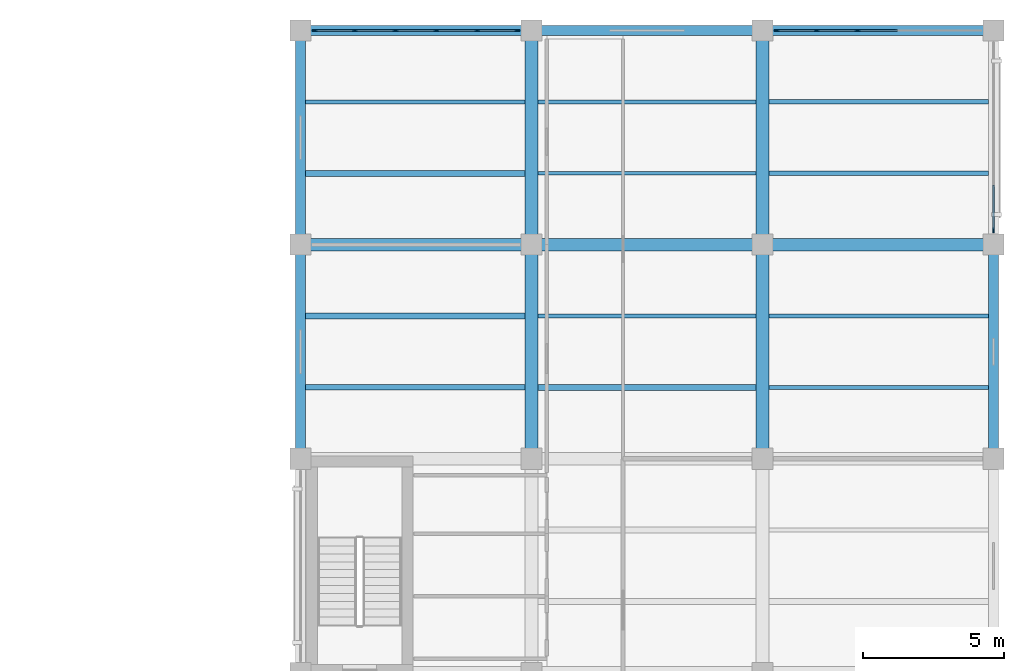
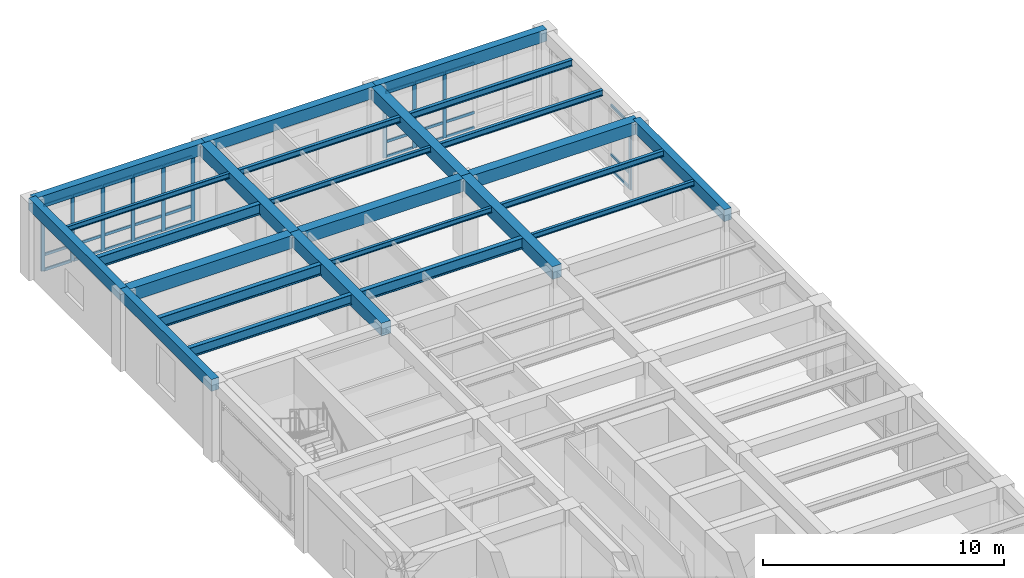
# One storey, part 4 of 13: 37 members, 25 beams, 3 elements without a shape of their own.
"""IFC4 building model written with IfcOpenShell, lengths in metres."""

from ifc_helpers import new_model, si_unit, direction, frame, origin, origin_2d, place, context, subcontext, project, spatial, rectangle, i_section, extrude, material, material_profile, profile_set, type_object, element, aggregate, save


model = new_model("IFC4")

# Units and contexts
model_context = context("Model", 3, precision=1e-05, world=origin(), true_north=direction((0.0, 1.0)))
body_context = subcontext(model_context, "Body", "Model", "MODEL_VIEW")
ifc_project = project(units=[si_unit("LENGTHUNIT", "METRE"), si_unit("AREAUNIT", "SQUARE_METRE"), si_unit("VOLUMEUNIT", "CUBIC_METRE"), si_unit("PLANEANGLEUNIT", "RADIAN"), si_unit("MASSUNIT", "GRAM", prefix="KILO")], contexts=[model_context])

# Site, building, storey
site_placement = place(None, origin())
site = spatial("IfcSite", under=ifc_project, at=site_placement, CompositionType="ELEMENT")
building_placement = place(site_placement, origin())
building = spatial("IfcBuilding", under=site, at=building_placement, Name="Qandaris Square Conservatory and Botanical Centre", CompositionType="ELEMENT")
storey_placement = place(building_placement, frame((0.0, 0.0, 57.60009765625)))
storey = spatial("IfcBuildingStorey", under=building, at=storey_placement, Name="L13", CompositionType="ELEMENT", Elevation=57.60009765625)

# Beams
ifc_material_1 = material(Name="Steel S355", Category="steel")
ifc_material_profile_1 = material_profile(ifc_material_1, i_section(OverallWidth=0.199951171875, OverallDepth=0.5, WebThickness=0.01025390625, FlangeThickness=0.01611328125, FilletRadius=0.02099609375, at=origin_2d()), Name="IPE 500")
ifc_profile_set_1 = profile_set([ifc_material_profile_1], Name="Steel S355")
beam_type_1 = type_object("IfcBeamType", Name="Composite Gallery Joist IPE 500", PredefinedType="JOIST", material=ifc_profile_set_1)
beam_1_placement = place(storey_placement, frame((139.375, 49.533203125, 3.659912109375), z_axis=(1.0, 0.0, 0.0), x_axis=(0.0, 1.0, 0.0)))
element("IfcBeam", 1, at=beam_1_placement, inside=storey, type_object=beam_type_1, Name="L13 Composite Joist 2799", PredefinedType="JOIST", context=body_context, shape_type="SweptSolid", body=[
    extrude(i_section(OverallWidth=0.199951171875, OverallDepth=0.5, WebThickness=0.01025390625, FlangeThickness=0.01611328125, FilletRadius=0.02099609375, at=origin_2d()), origin(), (0.0, 0.0, 1.0), 7.800048828125),
])
ifc_material_profile_2 = material_profile(ifc_material_1, i_section(OverallWidth=0.14990234375, OverallDepth=0.300048828125, WebThickness=0.007080078125, FlangeThickness=0.0107421875, FilletRadius=0.014892578125, at=origin_2d()), Name="IPE 300")
ifc_profile_set_2 = profile_set([ifc_material_profile_2], Name="Steel S355")
beam_type_2 = type_object("IfcBeamType", Name="Composite Lab Joist IPE 300", PredefinedType="JOIST", material=ifc_profile_set_2)
beam_2_placement = place(storey_placement, frame((147.625, 59.666748046875, 3.760009765625), z_axis=(1.0, 0.0, 0.0), x_axis=(0.0, 1.0, 0.0)))
element("IfcBeam", 2, at=beam_2_placement, inside=storey, type_object=beam_type_2, Name="L13 Composite Joist 2811", PredefinedType="JOIST", context=body_context, shape_type="SweptSolid", body=[
    extrude(i_section(OverallWidth=0.14990234375, OverallDepth=0.300048828125, WebThickness=0.007080078125, FlangeThickness=0.0107421875, FilletRadius=0.014892578125, at=origin_2d()), origin(), (0.0, 0.0, 1.0), 7.75),
])
for number, where, z_axis, x_axis, name in (
    (3, (155.824951171875, 52.066650390625, 3.760009765625), (1.0, 0.0, 0.0), (0.0, 1.0, 0.0), "L13 Composite Joist 2821"),
    (4, (155.824951171875, 57.13330078125, 3.760009765625), (1.0, 0.0, 0.0), (0.0, 1.0, 0.0), "L13 Composite Joist 2822"),
):
    element("IfcBeam", number, at=place(storey_placement, frame(where, z_axis=z_axis, x_axis=x_axis)), inside=storey, type_object=beam_type_2, Name=name, PredefinedType="JOIST", context=body_context, shape_type="SweptSolid", body=[
        extrude(i_section(OverallWidth=0.14990234375, OverallDepth=0.300048828125, WebThickness=0.007080078125, FlangeThickness=0.0107421875, FilletRadius=0.014892578125, at=origin_2d()), origin(), (0.0, 0.0, 1.0), 7.800048828125),
    ])
ifc_material_profile_3 = material_profile(ifc_material_1, i_section(OverallWidth=0.159912109375, OverallDepth=0.330078125, WebThickness=0.007568359375, FlangeThickness=0.011474609375, FilletRadius=0.01806640625, at=origin_2d()), Name="IPE 330")
ifc_profile_set_3 = profile_set([ifc_material_profile_3], Name="Steel S355")
beam_type_3 = type_object("IfcBeamType", Name="Composite Lab Joist IPE 330", PredefinedType="JOIST", material=ifc_profile_set_3)
beam_3_placement = place(storey_placement, frame((155.824951171875, 59.666748046875, 3.744873046875), z_axis=(1.0, 0.0, 0.0), x_axis=(0.0, 1.0, 0.0)))
element("IfcBeam", 5, at=beam_3_placement, inside=storey, type_object=beam_type_3, Name="L13 Composite Joist 2823", PredefinedType="JOIST", context=body_context, shape_type="SweptSolid", body=[
    extrude(i_section(OverallWidth=0.159912109375, OverallDepth=0.330078125, WebThickness=0.007568359375, FlangeThickness=0.011474609375, FilletRadius=0.01806640625, at=origin_2d()), origin(), (0.0, 0.0, 1.0), 7.800048828125),
])

# Curtain wall, member
ifc_material_2 = material(Name="Anodised Aluminium", Category="aluminium")
curtain_wall_type_1 = type_object("IfcCurtainWallType", Name="Unitised Curtain Wall CW-4-665x332", PredefinedType="USERDEFINED", material=ifc_material_2)
curtain_wall_1_placement = place(storey_placement, origin())
curtain_wall_1 = element("IfcCurtainWall", 6, at=curtain_wall_1_placement, inside=storey, type_object=curtain_wall_type_1, Name="Curtain Wall CW-TWR-L13-2-6", ObjectType="GLAZED CURTAIN WALL", PredefinedType="USERDEFINED")
ifc_material_profile_4 = material_profile(ifc_material_2, rectangle(XDim=0.06494140625, YDim=0.179931640625, at=origin_2d()), Name="ALU-MUL 65x180")
ifc_profile_set_4 = profile_set([ifc_material_profile_4], Name="Anodised Aluminium")
member_type_1 = type_object("IfcMemberType", Name="Curtain Wall Mullion 65x180", PredefinedType="MULLION", material=ifc_profile_set_4)
member_1_placement = place(storey_placement, frame((163.800048828125, 55.107421875, 0.0), z_axis=(0.0, 0.0, 1.0), x_axis=(-1.0, 0.0, 0.0)))
member_1 = element("IfcMember", 7, at=member_1_placement, type_object=member_type_1, Name="CW-4-665x332 mullion 1", PredefinedType="MULLION", context=body_context, shape_type="SweptSolid", body=[
    extrude(rectangle(XDim=0.06494140625, YDim=0.179931640625, at=origin_2d()), origin(), (0.0, 0.0, 1.0), 3.31982421875),
])

# Curtain wall, members
curtain_wall_type_2 = type_object("IfcCurtainWallType", Name="Unitised Curtain Wall CW-3-725x332", PredefinedType="USERDEFINED", material=ifc_material_2)
curtain_wall_2_placement = place(storey_placement, origin())
curtain_wall_2 = element("IfcCurtainWall", 8, at=curtain_wall_2_placement, inside=storey, type_object=curtain_wall_type_2, Name="Curtain Wall CW-TWR-L13-3-1", ObjectType="GLAZED CURTAIN WALL", PredefinedType="USERDEFINED")
member_2_placement = place(storey_placement, frame((158.97509765625, 62.199951171875, 0.0), z_axis=(0.0, 0.0, 1.0), x_axis=(0.0, -1.0, 0.0)))
member_2 = element("IfcMember", 9, at=member_2_placement, type_object=member_type_1, Name="CW-3-725x332 mullion 4", PredefinedType="MULLION", context=body_context, shape_type="SweptSolid", body=[
    extrude(rectangle(XDim=0.06494140625, YDim=0.179931640625, at=origin_2d()), origin(), (0.0, 0.0, 1.0), 3.31982421875),
])
member_3_placement = place(storey_placement, frame((157.52490234375, 62.199951171875, 0.0), z_axis=(0.0, 0.0, 1.0), x_axis=(0.0, -1.0, 0.0)))
member_3 = element("IfcMember", 10, at=member_3_placement, type_object=member_type_1, Name="CW-3-725x332 mullion 5", PredefinedType="MULLION", context=body_context, shape_type="SweptSolid", body=[
    extrude(rectangle(XDim=0.06494140625, YDim=0.179931640625, at=origin_2d()), origin(), (0.0, 0.0, 1.0), 3.31982421875),
])
member_4_placement = place(storey_placement, frame((156.107421875, 62.199951171875, 0.0), z_axis=(0.0, 0.0, 1.0), x_axis=(0.0, -1.0, 0.0)))
member_4 = element("IfcMember", 11, at=member_4_placement, type_object=member_type_1, Name="CW-3-725x332 mullion 6", PredefinedType="MULLION", context=body_context, shape_type="SweptSolid", body=[
    extrude(rectangle(XDim=0.06494140625, YDim=0.179931640625, at=origin_2d()), origin(), (0.0, 0.0, 1.0), 3.31982421875),
])

curtain_wall_3_placement = place(storey_placement, origin())
curtain_wall_3 = element("IfcCurtainWall", 12, at=curtain_wall_3_placement, inside=storey, type_object=curtain_wall_type_2, Name="Curtain Wall CW-TWR-L13-3-3", ObjectType="GLAZED CURTAIN WALL", PredefinedType="USERDEFINED")
member_5_placement = place(storey_placement, frame((146.892578125, 62.199951171875, 0.0), z_axis=(0.0, 0.0, 1.0), x_axis=(0.0, -1.0, 0.0)))
member_5 = element("IfcMember", 13, at=member_5_placement, type_object=member_type_1, Name="CW-3-725x332 mullion 1", PredefinedType="MULLION", context=body_context, shape_type="SweptSolid", body=[
    extrude(rectangle(XDim=0.06494140625, YDim=0.179931640625, at=origin_2d()), origin(), (0.0, 0.0, 1.0), 3.31982421875),
])
member_6_placement = place(storey_placement, frame((145.47509765625, 62.199951171875, 0.0), z_axis=(0.0, 0.0, 1.0), x_axis=(0.0, -1.0, 0.0)))
member_6 = element("IfcMember", 14, at=member_6_placement, type_object=member_type_1, Name="CW-3-725x332 mullion 2", PredefinedType="MULLION", context=body_context, shape_type="SweptSolid", body=[
    extrude(rectangle(XDim=0.06494140625, YDim=0.179931640625, at=origin_2d()), origin(), (0.0, 0.0, 1.0), 3.31982421875),
])
member_7_placement = place(storey_placement, frame((144.02490234375, 62.199951171875, 0.0), z_axis=(0.0, 0.0, 1.0), x_axis=(0.0, -1.0, 0.0)))
member_7 = element("IfcMember", 15, at=member_7_placement, type_object=member_type_1, Name="CW-3-725x332 mullion 3", PredefinedType="MULLION", context=body_context, shape_type="SweptSolid", body=[
    extrude(rectangle(XDim=0.06494140625, YDim=0.179931640625, at=origin_2d()), origin(), (0.0, 0.0, 1.0), 3.31982421875),
])
member_8_placement = place(storey_placement, frame((142.574951171875, 62.199951171875, 0.0), z_axis=(0.0, 0.0, 1.0), x_axis=(0.0, -1.0, 0.0)))
member_8 = element("IfcMember", 16, at=member_8_placement, type_object=member_type_1, Name="CW-3-725x332 mullion 4", PredefinedType="MULLION", context=body_context, shape_type="SweptSolid", body=[
    extrude(rectangle(XDim=0.06494140625, YDim=0.179931640625, at=origin_2d()), origin(), (0.0, 0.0, 1.0), 3.31982421875),
])
member_9_placement = place(storey_placement, frame((141.125, 62.199951171875, 0.0), z_axis=(0.0, 0.0, 1.0), x_axis=(0.0, -1.0, 0.0)))
member_9 = element("IfcMember", 17, at=member_9_placement, type_object=member_type_1, Name="CW-3-725x332 mullion 5", PredefinedType="MULLION", context=body_context, shape_type="SweptSolid", body=[
    extrude(rectangle(XDim=0.06494140625, YDim=0.179931640625, at=origin_2d()), origin(), (0.0, 0.0, 1.0), 3.31982421875),
])
member_10_placement = place(storey_placement, frame((139.70751953125, 62.199951171875, 0.0), z_axis=(0.0, 0.0, 1.0), x_axis=(0.0, -1.0, 0.0)))
member_10 = element("IfcMember", 18, at=member_10_placement, type_object=member_type_1, Name="CW-3-725x332 mullion 6", PredefinedType="MULLION", context=body_context, shape_type="SweptSolid", body=[
    extrude(rectangle(XDim=0.06494140625, YDim=0.179931640625, at=origin_2d()), origin(), (0.0, 0.0, 1.0), 3.31982421875),
])

# Member
ifc_material_profile_5 = material_profile(ifc_material_2, rectangle(XDim=0.06494140625, YDim=0.139892578125, at=origin_2d()), Name="ALU-TRN 65x140")
ifc_profile_set_5 = profile_set([ifc_material_profile_5], Name="Anodised Aluminium")
member_type_2 = type_object("IfcMemberType", Name="Curtain Wall Transom 65x140", PredefinedType="USERDEFINED", material=ifc_profile_set_5)
member_11_placement = place(storey_placement, frame((163.800048828125, 55.139892578125, 0.032470703125), z_axis=(0.0, 1.0, 0.0), x_axis=(-1.0, 0.0, 0.0)))
member_11 = element("IfcMember", 19, at=member_11_placement, type_object=member_type_2, Name="CW-4-665x332 transom 1.1", ObjectType="TRANSOM", PredefinedType="USERDEFINED", context=body_context, shape_type="SweptSolid", body=[
    extrude(rectangle(XDim=0.06494140625, YDim=0.139892578125, at=origin_2d()), origin(), (0.0, 0.0, 1.0), 1.565185546875),
])

member_12_placement = place(storey_placement, frame((163.800048828125, 55.139892578125, 0.796630859375), z_axis=(0.0, 1.0, 0.0), x_axis=(-1.0, 0.0, 0.0)))
member_12 = element("IfcMember", 20, at=member_12_placement, type_object=member_type_2, Name="CW-4-665x332 transom 1.2", ObjectType="TRANSOM", PredefinedType="USERDEFINED", context=body_context, shape_type="SweptSolid", body=[
    extrude(rectangle(XDim=0.06494140625, YDim=0.139892578125, at=origin_2d()), origin(), (0.0, 0.0, 1.0), 1.565185546875),
])

member_13_placement = place(storey_placement, frame((163.800048828125, 55.139892578125, 3.287353515625), z_axis=(0.0, 1.0, 0.0), x_axis=(-1.0, 0.0, 0.0)))
member_13 = element("IfcMember", 21, at=member_13_placement, type_object=member_type_2, Name="CW-4-665x332 transom 1.3", ObjectType="TRANSOM", PredefinedType="USERDEFINED", context=body_context, shape_type="SweptSolid", body=[
    extrude(rectangle(XDim=0.06494140625, YDim=0.139892578125, at=origin_2d()), origin(), (0.0, 0.0, 1.0), 1.565185546875),
])

aggregate(curtain_wall_1, [member_1, member_11, member_12, member_13])

member_14_placement = place(storey_placement, frame((160.392578125, 62.199951171875, 0.032470703125), z_axis=(-1.0, 0.0, 0.0), x_axis=(0.0, -1.0, 0.0)))
member_14 = element("IfcMember", 22, at=member_14_placement, type_object=member_type_2, Name="CW-3-725x332 transom 3.1", ObjectType="TRANSOM", PredefinedType="USERDEFINED", context=body_context, shape_type="SweptSolid", body=[
    extrude(rectangle(XDim=0.06494140625, YDim=0.139892578125, at=origin_2d()), origin(), (0.0, 0.0, 1.0), 1.385009765625),
])

member_15_placement = place(storey_placement, frame((160.392578125, 62.199951171875, 0.796630859375), z_axis=(-1.0, 0.0, 0.0), x_axis=(0.0, -1.0, 0.0)))
member_15 = element("IfcMember", 23, at=member_15_placement, type_object=member_type_2, Name="CW-3-725x332 transom 3.2", ObjectType="TRANSOM", PredefinedType="USERDEFINED", context=body_context, shape_type="SweptSolid", body=[
    extrude(rectangle(XDim=0.06494140625, YDim=0.139892578125, at=origin_2d()), origin(), (0.0, 0.0, 1.0), 1.385009765625),
])

member_16_placement = place(storey_placement, frame((160.392578125, 62.199951171875, 3.287353515625), z_axis=(-1.0, 0.0, 0.0), x_axis=(0.0, -1.0, 0.0)))
member_16 = element("IfcMember", 24, at=member_16_placement, type_object=member_type_2, Name="CW-3-725x332 transom 3.3", ObjectType="TRANSOM", PredefinedType="USERDEFINED", context=body_context, shape_type="SweptSolid", body=[
    extrude(rectangle(XDim=0.06494140625, YDim=0.139892578125, at=origin_2d()), origin(), (0.0, 0.0, 1.0), 1.385009765625),
])

member_17_placement = place(storey_placement, frame((158.9423828125, 62.199951171875, 0.032470703125), z_axis=(-1.0, 0.0, 0.0), x_axis=(0.0, -1.0, 0.0)))
member_17 = element("IfcMember", 25, at=member_17_placement, type_object=member_type_2, Name="CW-3-725x332 transom 4.1", ObjectType="TRANSOM", PredefinedType="USERDEFINED", context=body_context, shape_type="SweptSolid", body=[
    extrude(rectangle(XDim=0.06494140625, YDim=0.139892578125, at=origin_2d()), origin(), (0.0, 0.0, 1.0), 1.384765625),
])

member_18_placement = place(storey_placement, frame((158.9423828125, 62.199951171875, 0.796630859375), z_axis=(-1.0, 0.0, 0.0), x_axis=(0.0, -1.0, 0.0)))
member_18 = element("IfcMember", 26, at=member_18_placement, type_object=member_type_2, Name="CW-3-725x332 transom 4.2", ObjectType="TRANSOM", PredefinedType="USERDEFINED", context=body_context, shape_type="SweptSolid", body=[
    extrude(rectangle(XDim=0.06494140625, YDim=0.139892578125, at=origin_2d()), origin(), (0.0, 0.0, 1.0), 1.384765625),
])

member_19_placement = place(storey_placement, frame((158.9423828125, 62.199951171875, 3.287353515625), z_axis=(-1.0, 0.0, 0.0), x_axis=(0.0, -1.0, 0.0)))
member_19 = element("IfcMember", 27, at=member_19_placement, type_object=member_type_2, Name="CW-3-725x332 transom 4.3", ObjectType="TRANSOM", PredefinedType="USERDEFINED", context=body_context, shape_type="SweptSolid", body=[
    extrude(rectangle(XDim=0.06494140625, YDim=0.139892578125, at=origin_2d()), origin(), (0.0, 0.0, 1.0), 1.384765625),
])

member_20_placement = place(storey_placement, frame((157.492431640625, 62.199951171875, 0.032470703125), z_axis=(-1.0, 0.0, 0.0), x_axis=(0.0, -1.0, 0.0)))
member_20 = element("IfcMember", 28, at=member_20_placement, type_object=member_type_2, Name="CW-3-725x332 transom 5.1", ObjectType="TRANSOM", PredefinedType="USERDEFINED", context=body_context, shape_type="SweptSolid", body=[
    extrude(rectangle(XDim=0.06494140625, YDim=0.139892578125, at=origin_2d()), origin(), (0.0, 0.0, 1.0), 1.3525390625),
])

member_21_placement = place(storey_placement, frame((157.492431640625, 62.199951171875, 0.796630859375), z_axis=(-1.0, 0.0, 0.0), x_axis=(0.0, -1.0, 0.0)))
member_21 = element("IfcMember", 29, at=member_21_placement, type_object=member_type_2, Name="CW-3-725x332 transom 5.2", ObjectType="TRANSOM", PredefinedType="USERDEFINED", context=body_context, shape_type="SweptSolid", body=[
    extrude(rectangle(XDim=0.06494140625, YDim=0.139892578125, at=origin_2d()), origin(), (0.0, 0.0, 1.0), 1.3525390625),
])

member_22_placement = place(storey_placement, frame((157.492431640625, 62.199951171875, 3.287353515625), z_axis=(-1.0, 0.0, 0.0), x_axis=(0.0, -1.0, 0.0)))
member_22 = element("IfcMember", 30, at=member_22_placement, type_object=member_type_2, Name="CW-3-725x332 transom 5.3", ObjectType="TRANSOM", PredefinedType="USERDEFINED", context=body_context, shape_type="SweptSolid", body=[
    extrude(rectangle(XDim=0.06494140625, YDim=0.139892578125, at=origin_2d()), origin(), (0.0, 0.0, 1.0), 1.3525390625),
])

aggregate(curtain_wall_2, [member_2, member_3, member_4, member_14, member_15, member_16, member_17, member_18, member_19, member_20, member_21, member_22])

member_23_placement = place(storey_placement, frame((146.860107421875, 62.199951171875, 0.032470703125), z_axis=(-1.0, 0.0, 0.0), x_axis=(0.0, -1.0, 0.0)))
member_23 = element("IfcMember", 31, at=member_23_placement, type_object=member_type_2, Name="CW-3-725x332 transom 1.1", ObjectType="TRANSOM", PredefinedType="USERDEFINED", context=body_context, shape_type="SweptSolid", body=[
    extrude(rectangle(XDim=0.06494140625, YDim=0.139892578125, at=origin_2d()), origin(), (0.0, 0.0, 1.0), 1.3525390625),
])

member_24_placement = place(storey_placement, frame((146.860107421875, 62.199951171875, 0.796630859375), z_axis=(-1.0, 0.0, 0.0), x_axis=(0.0, -1.0, 0.0)))
member_24 = element("IfcMember", 32, at=member_24_placement, type_object=member_type_2, Name="CW-3-725x332 transom 1.2", ObjectType="TRANSOM", PredefinedType="USERDEFINED", context=body_context, shape_type="SweptSolid", body=[
    extrude(rectangle(XDim=0.06494140625, YDim=0.139892578125, at=origin_2d()), origin(), (0.0, 0.0, 1.0), 1.3525390625),
])

member_25_placement = place(storey_placement, frame((146.860107421875, 62.199951171875, 3.287353515625), z_axis=(-1.0, 0.0, 0.0), x_axis=(0.0, -1.0, 0.0)))
member_25 = element("IfcMember", 33, at=member_25_placement, type_object=member_type_2, Name="CW-3-725x332 transom 1.3", ObjectType="TRANSOM", PredefinedType="USERDEFINED", context=body_context, shape_type="SweptSolid", body=[
    extrude(rectangle(XDim=0.06494140625, YDim=0.139892578125, at=origin_2d()), origin(), (0.0, 0.0, 1.0), 1.3525390625),
])

member_26_placement = place(storey_placement, frame((145.4423828125, 62.199951171875, 0.032470703125), z_axis=(-1.0, 0.0, 0.0), x_axis=(0.0, -1.0, 0.0)))
member_26 = element("IfcMember", 34, at=member_26_placement, type_object=member_type_2, Name="CW-3-725x332 transom 2.1", ObjectType="TRANSOM", PredefinedType="USERDEFINED", context=body_context, shape_type="SweptSolid", body=[
    extrude(rectangle(XDim=0.06494140625, YDim=0.139892578125, at=origin_2d()), origin(), (0.0, 0.0, 1.0), 1.384765625),
])

member_27_placement = place(storey_placement, frame((145.4423828125, 62.199951171875, 0.796630859375), z_axis=(-1.0, 0.0, 0.0), x_axis=(0.0, -1.0, 0.0)))
member_27 = element("IfcMember", 35, at=member_27_placement, type_object=member_type_2, Name="CW-3-725x332 transom 2.2", ObjectType="TRANSOM", PredefinedType="USERDEFINED", context=body_context, shape_type="SweptSolid", body=[
    extrude(rectangle(XDim=0.06494140625, YDim=0.139892578125, at=origin_2d()), origin(), (0.0, 0.0, 1.0), 1.384765625),
])

member_28_placement = place(storey_placement, frame((145.4423828125, 62.199951171875, 3.287353515625), z_axis=(-1.0, 0.0, 0.0), x_axis=(0.0, -1.0, 0.0)))
member_28 = element("IfcMember", 36, at=member_28_placement, type_object=member_type_2, Name="CW-3-725x332 transom 2.3", ObjectType="TRANSOM", PredefinedType="USERDEFINED", context=body_context, shape_type="SweptSolid", body=[
    extrude(rectangle(XDim=0.06494140625, YDim=0.139892578125, at=origin_2d()), origin(), (0.0, 0.0, 1.0), 1.384765625),
])

member_29_placement = place(storey_placement, frame((143.992431640625, 62.199951171875, 0.032470703125), z_axis=(-1.0, 0.0, 0.0), x_axis=(0.0, -1.0, 0.0)))
member_29 = element("IfcMember", 37, at=member_29_placement, type_object=member_type_2, Name="CW-3-725x332 transom 3.1", ObjectType="TRANSOM", PredefinedType="USERDEFINED", context=body_context, shape_type="SweptSolid", body=[
    extrude(rectangle(XDim=0.06494140625, YDim=0.139892578125, at=origin_2d()), origin(), (0.0, 0.0, 1.0), 1.385009765625),
])

member_30_placement = place(storey_placement, frame((143.992431640625, 62.199951171875, 0.796630859375), z_axis=(-1.0, 0.0, 0.0), x_axis=(0.0, -1.0, 0.0)))
member_30 = element("IfcMember", 38, at=member_30_placement, type_object=member_type_2, Name="CW-3-725x332 transom 3.2", ObjectType="TRANSOM", PredefinedType="USERDEFINED", context=body_context, shape_type="SweptSolid", body=[
    extrude(rectangle(XDim=0.06494140625, YDim=0.139892578125, at=origin_2d()), origin(), (0.0, 0.0, 1.0), 1.385009765625),
])

member_31_placement = place(storey_placement, frame((143.992431640625, 62.199951171875, 3.287353515625), z_axis=(-1.0, 0.0, 0.0), x_axis=(0.0, -1.0, 0.0)))
member_31 = element("IfcMember", 39, at=member_31_placement, type_object=member_type_2, Name="CW-3-725x332 transom 3.3", ObjectType="TRANSOM", PredefinedType="USERDEFINED", context=body_context, shape_type="SweptSolid", body=[
    extrude(rectangle(XDim=0.06494140625, YDim=0.139892578125, at=origin_2d()), origin(), (0.0, 0.0, 1.0), 1.385009765625),
])

member_32_placement = place(storey_placement, frame((142.54248046875, 62.199951171875, 0.032470703125), z_axis=(-1.0, 0.0, 0.0), x_axis=(0.0, -1.0, 0.0)))
member_32 = element("IfcMember", 40, at=member_32_placement, type_object=member_type_2, Name="CW-3-725x332 transom 4.1", ObjectType="TRANSOM", PredefinedType="USERDEFINED", context=body_context, shape_type="SweptSolid", body=[
    extrude(rectangle(XDim=0.06494140625, YDim=0.139892578125, at=origin_2d()), origin(), (0.0, 0.0, 1.0), 1.385009765625),
])

member_33_placement = place(storey_placement, frame((142.54248046875, 62.199951171875, 0.796630859375), z_axis=(-1.0, 0.0, 0.0), x_axis=(0.0, -1.0, 0.0)))
member_33 = element("IfcMember", 41, at=member_33_placement, type_object=member_type_2, Name="CW-3-725x332 transom 4.2", ObjectType="TRANSOM", PredefinedType="USERDEFINED", context=body_context, shape_type="SweptSolid", body=[
    extrude(rectangle(XDim=0.06494140625, YDim=0.139892578125, at=origin_2d()), origin(), (0.0, 0.0, 1.0), 1.385009765625),
])

member_34_placement = place(storey_placement, frame((142.54248046875, 62.199951171875, 3.287353515625), z_axis=(-1.0, 0.0, 0.0), x_axis=(0.0, -1.0, 0.0)))
member_34 = element("IfcMember", 42, at=member_34_placement, type_object=member_type_2, Name="CW-3-725x332 transom 4.3", ObjectType="TRANSOM", PredefinedType="USERDEFINED", context=body_context, shape_type="SweptSolid", body=[
    extrude(rectangle(XDim=0.06494140625, YDim=0.139892578125, at=origin_2d()), origin(), (0.0, 0.0, 1.0), 1.385009765625),
])

member_35_placement = place(storey_placement, frame((141.092529296875, 62.199951171875, 0.032470703125), z_axis=(-1.0, 0.0, 0.0), x_axis=(0.0, -1.0, 0.0)))
member_35 = element("IfcMember", 43, at=member_35_placement, type_object=member_type_2, Name="CW-3-725x332 transom 5.1", ObjectType="TRANSOM", PredefinedType="USERDEFINED", context=body_context, shape_type="SweptSolid", body=[
    extrude(rectangle(XDim=0.06494140625, YDim=0.139892578125, at=origin_2d()), origin(), (0.0, 0.0, 1.0), 1.3525390625),
])

member_36_placement = place(storey_placement, frame((141.092529296875, 62.199951171875, 0.796630859375), z_axis=(-1.0, 0.0, 0.0), x_axis=(0.0, -1.0, 0.0)))
member_36 = element("IfcMember", 44, at=member_36_placement, type_object=member_type_2, Name="CW-3-725x332 transom 5.2", ObjectType="TRANSOM", PredefinedType="USERDEFINED", context=body_context, shape_type="SweptSolid", body=[
    extrude(rectangle(XDim=0.06494140625, YDim=0.139892578125, at=origin_2d()), origin(), (0.0, 0.0, 1.0), 1.3525390625),
])

member_37_placement = place(storey_placement, frame((141.092529296875, 62.199951171875, 3.287353515625), z_axis=(-1.0, 0.0, 0.0), x_axis=(0.0, -1.0, 0.0)))
member_37 = element("IfcMember", 45, at=member_37_placement, type_object=member_type_2, Name="CW-3-725x332 transom 5.3", ObjectType="TRANSOM", PredefinedType="USERDEFINED", context=body_context, shape_type="SweptSolid", body=[
    extrude(rectangle(XDim=0.06494140625, YDim=0.139892578125, at=origin_2d()), origin(), (0.0, 0.0, 1.0), 1.3525390625),
])

aggregate(curtain_wall_3, [member_5, member_6, member_7, member_8, member_9, member_10, member_23, member_24, member_25, member_26, member_27, member_28, member_29, member_30, member_31, member_32, member_33, member_34, member_35, member_36, member_37])

# Beams
ifc_material_profile_6 = material_profile(ifc_material_1, i_section(OverallWidth=0.2099609375, OverallDepth=0.550048828125, WebThickness=0.010986328125, FlangeThickness=0.01708984375, FilletRadius=0.02392578125, at=origin_2d()), Name="IPE 550")
ifc_profile_set_6 = profile_set([ifc_material_profile_6], Name="Steel S355")
beam_type_4 = type_object("IfcBeamType", Name="Long-Span Foyer Joist IPE 550", PredefinedType="JOIST", material=ifc_profile_set_6)
for number, where, z_axis, x_axis, name in (
    (46, (139.375, 52.066650390625, 3.635009765625), (1.0, 0.0, 0.0), (0.0, 1.0, 0.0), "L13 Composite Joist 2800"),
    (47, (139.375, 57.13330078125, 3.635009765625), (1.0, 0.0, 0.0), (0.0, 1.0, 0.0), "L13 Composite Joist 2801"),
):
    element("IfcBeam", number, at=place(storey_placement, frame(where, z_axis=z_axis, x_axis=x_axis)), inside=storey, type_object=beam_type_4, Name=name, PredefinedType="JOIST", context=body_context, shape_type="SweptSolid", body=[
        extrude(i_section(OverallWidth=0.2099609375, OverallDepth=0.550048828125, WebThickness=0.010986328125, FlangeThickness=0.01708984375, FilletRadius=0.02392578125, at=origin_2d()), origin(), (0.0, 0.0, 1.0), 7.800048828125),
    ])
beam_4_placement = place(storey_placement, frame((147.625, 49.533203125, 3.635009765625), z_axis=(1.0, 0.0, 0.0), x_axis=(0.0, 1.0, 0.0)))
element("IfcBeam", 48, at=beam_4_placement, inside=storey, type_object=beam_type_4, Name="L13 Composite Joist 2808", PredefinedType="JOIST", context=body_context, shape_type="SweptSolid", body=[
    extrude(i_section(OverallWidth=0.2099609375, OverallDepth=0.550048828125, WebThickness=0.010986328125, FlangeThickness=0.01708984375, FilletRadius=0.02392578125, at=origin_2d()), origin(), (0.0, 0.0, 1.0), 7.75),
])
ifc_material_3 = material(Name="Concrete C50/60", Category="concrete")
ifc_material_profile_7 = material_profile(ifc_material_3, rectangle(XDim=0.35009765625, YDim=0.60009765625, at=origin_2d()), Name="RC-SP 350x600")
ifc_profile_set_7 = profile_set([ifc_material_profile_7], Name="Concrete C50/60")
beam_type_5 = type_object("IfcBeamType", Name="RC Edge Spandrel Beam 350x600", PredefinedType="SPANDREL", material=ifc_profile_set_7)
beam_5_placement = place(storey_placement, frame((139.199951171875, 62.199951171875, 3.619873046875), z_axis=(1.0, 0.0, 0.0), x_axis=(0.0, 1.0, 0.0)))
element("IfcBeam", 49, at=beam_5_placement, inside=storey, type_object=beam_type_5, Name="L13 Frame Beam 2757", PredefinedType="SPANDREL", context=body_context, shape_type="SweptSolid", body=[
    extrude(rectangle(XDim=0.35009765625, YDim=0.60009765625, at=origin_2d()), origin(), (0.0, 0.0, 1.0), 8.199951171875),
])
beam_6_placement = place(storey_placement, frame((147.39990234375, 62.199951171875, 3.619873046875), z_axis=(1.0, 0.0, 0.0), x_axis=(0.0, 1.0, 0.0)))
element("IfcBeam", 50, at=beam_6_placement, inside=storey, type_object=beam_type_5, Name="L13 Frame Beam 2758", PredefinedType="SPANDREL", context=body_context, shape_type="SweptSolid", body=[
    extrude(rectangle(XDim=0.35009765625, YDim=0.60009765625, at=origin_2d()), origin(), (0.0, 0.0, 1.0), 8.2001953125),
])
beam_7_placement = place(storey_placement, frame((155.60009765625, 62.199951171875, 3.619873046875), z_axis=(1.0, 0.0, 0.0), x_axis=(0.0, 1.0, 0.0)))
element("IfcBeam", 51, at=beam_7_placement, inside=storey, type_object=beam_type_5, Name="L13 Frame Beam 2759", PredefinedType="SPANDREL", context=body_context, shape_type="SweptSolid", body=[
    extrude(rectangle(XDim=0.35009765625, YDim=0.60009765625, at=origin_2d()), origin(), (0.0, 0.0, 1.0), 8.199951171875),
])
beam_8_placement = place(storey_placement, frame((139.199951171875, 47.0, 3.619873046875), z_axis=(0.0, 1.0, 0.0), x_axis=(-1.0, 0.0, 0.0)))
element("IfcBeam", 52, at=beam_8_placement, inside=storey, type_object=beam_type_5, Name="L13 Frame Beam 2768", PredefinedType="SPANDREL", context=body_context, shape_type="SweptSolid", body=[
    extrude(rectangle(XDim=0.35009765625, YDim=0.60009765625, at=origin_2d()), origin(), (0.0, 0.0, 1.0), 7.60009765625),
])
beam_9_placement = place(storey_placement, frame((139.199951171875, 54.60009765625, 3.619873046875), z_axis=(0.0, 1.0, 0.0), x_axis=(-1.0, 0.0, 0.0)))
element("IfcBeam", 53, at=beam_9_placement, inside=storey, type_object=beam_type_5, Name="L13 Frame Beam 2769", PredefinedType="SPANDREL", context=body_context, shape_type="SweptSolid", body=[
    extrude(rectangle(XDim=0.35009765625, YDim=0.60009765625, at=origin_2d()), origin(), (0.0, 0.0, 1.0), 7.599853515625),
])
beam_10_placement = place(storey_placement, frame((163.800048828125, 47.0, 3.619873046875), z_axis=(0.0, 1.0, 0.0), x_axis=(-1.0, 0.0, 0.0)))
element("IfcBeam", 54, at=beam_10_placement, inside=storey, type_object=beam_type_5, Name="L13 Frame Beam 2786", PredefinedType="SPANDREL", context=body_context, shape_type="SweptSolid", body=[
    extrude(rectangle(XDim=0.35009765625, YDim=0.60009765625, at=origin_2d()), origin(), (0.0, 0.0, 1.0), 7.60009765625),
])
ifc_material_profile_8 = material_profile(ifc_material_3, rectangle(XDim=0.449951171875, YDim=0.64990234375, at=origin_2d()), Name="RC-BM 450x650")
ifc_profile_set_8 = profile_set([ifc_material_profile_8], Name="Concrete C50/60")
beam_type_6 = type_object("IfcBeamType", Name="RC Floor Girder 450x650", PredefinedType="BEAM", material=ifc_profile_set_8)
beam_11_placement = place(storey_placement, frame((139.199951171875, 54.60009765625, 3.594970703125), z_axis=(1.0, 0.0, 0.0), x_axis=(0.0, 1.0, 0.0)))
element("IfcBeam", 55, at=beam_11_placement, inside=storey, type_object=beam_type_6, Name="L13 Frame Beam 2754", PredefinedType="BEAM", context=body_context, shape_type="SweptSolid", body=[
    extrude(rectangle(XDim=0.449951171875, YDim=0.64990234375, at=origin_2d()), origin(), (0.0, 0.0, 1.0), 8.199951171875),
])
beam_12_placement = place(storey_placement, frame((147.39990234375, 54.60009765625, 3.594970703125), z_axis=(1.0, 0.0, 0.0), x_axis=(0.0, 1.0, 0.0)))
element("IfcBeam", 56, at=beam_12_placement, inside=storey, type_object=beam_type_6, Name="L13 Frame Beam 2755", PredefinedType="BEAM", context=body_context, shape_type="SweptSolid", body=[
    extrude(rectangle(XDim=0.449951171875, YDim=0.64990234375, at=origin_2d()), origin(), (0.0, 0.0, 1.0), 8.2001953125),
])
beam_13_placement = place(storey_placement, frame((155.60009765625, 54.60009765625, 3.594970703125), z_axis=(1.0, 0.0, 0.0), x_axis=(0.0, 1.0, 0.0)))
element("IfcBeam", 57, at=beam_13_placement, inside=storey, type_object=beam_type_6, Name="L13 Frame Beam 2756", PredefinedType="BEAM", context=body_context, shape_type="SweptSolid", body=[
    extrude(rectangle(XDim=0.449951171875, YDim=0.64990234375, at=origin_2d()), origin(), (0.0, 0.0, 1.0), 8.199951171875),
])
beam_14_placement = place(storey_placement, frame((147.39990234375, 47.0, 3.594970703125), z_axis=(0.0, 1.0, 0.0), x_axis=(-1.0, 0.0, 0.0)))
element("IfcBeam", 58, at=beam_14_placement, inside=storey, type_object=beam_type_6, Name="L13 Frame Beam 2774", PredefinedType="BEAM", context=body_context, shape_type="SweptSolid", body=[
    extrude(rectangle(XDim=0.449951171875, YDim=0.64990234375, at=origin_2d()), origin(), (0.0, 0.0, 1.0), 7.60009765625),
])
beam_15_placement = place(storey_placement, frame((147.39990234375, 54.60009765625, 3.594970703125), z_axis=(0.0, 1.0, 0.0), x_axis=(-1.0, 0.0, 0.0)))
element("IfcBeam", 59, at=beam_15_placement, inside=storey, type_object=beam_type_6, Name="L13 Frame Beam 2775", PredefinedType="BEAM", context=body_context, shape_type="SweptSolid", body=[
    extrude(rectangle(XDim=0.449951171875, YDim=0.64990234375, at=origin_2d()), origin(), (0.0, 0.0, 1.0), 7.599853515625),
])
beam_16_placement = place(storey_placement, frame((155.60009765625, 47.0, 3.594970703125), z_axis=(0.0, 1.0, 0.0), x_axis=(-1.0, 0.0, 0.0)))
element("IfcBeam", 60, at=beam_16_placement, inside=storey, type_object=beam_type_6, Name="L13 Frame Beam 2780", PredefinedType="BEAM", context=body_context, shape_type="SweptSolid", body=[
    extrude(rectangle(XDim=0.449951171875, YDim=0.64990234375, at=origin_2d()), origin(), (0.0, 0.0, 1.0), 7.60009765625),
])
beam_17_placement = place(storey_placement, frame((155.60009765625, 54.60009765625, 3.594970703125), z_axis=(0.0, 1.0, 0.0), x_axis=(-1.0, 0.0, 0.0)))
element("IfcBeam", 61, at=beam_17_placement, inside=storey, type_object=beam_type_6, Name="L13 Frame Beam 2781", PredefinedType="BEAM", context=body_context, shape_type="SweptSolid", body=[
    extrude(rectangle(XDim=0.449951171875, YDim=0.64990234375, at=origin_2d()), origin(), (0.0, 0.0, 1.0), 7.599853515625),
])
ifc_material_profile_9 = material_profile(ifc_material_1, i_section(OverallWidth=0.135009765625, OverallDepth=0.27001953125, WebThickness=0.006591796875, FlangeThickness=0.01025390625, FilletRadius=0.014892578125, at=origin_2d()), Name="IPE 270")
ifc_profile_set_9 = profile_set([ifc_material_profile_9], Name="Steel S355")
beam_type_7 = type_object("IfcBeamType", Name="Steel Floor Joist IPE 270", PredefinedType="JOIST", material=ifc_profile_set_9)
beam_18_placement = place(storey_placement, frame((139.375, 59.666748046875, 3.77490234375), z_axis=(1.0, 0.0, 0.0), x_axis=(0.0, 1.0, 0.0)))
element("IfcBeam", 62, at=beam_18_placement, inside=storey, type_object=beam_type_7, Name="L13 Composite Joist 2802", PredefinedType="JOIST", context=body_context, shape_type="SweptSolid", body=[
    extrude(i_section(OverallWidth=0.135009765625, OverallDepth=0.27001953125, WebThickness=0.006591796875, FlangeThickness=0.01025390625, FilletRadius=0.014892578125, at=origin_2d()), origin(), (0.0, 0.0, 1.0), 7.800048828125),
])
for number, where, z_axis, x_axis, name in (
    (63, (147.625, 52.066650390625, 3.77490234375), (1.0, 0.0, 0.0), (0.0, 1.0, 0.0), "L13 Composite Joist 2809"),
    (64, (147.625, 57.13330078125, 3.77490234375), (1.0, 0.0, 0.0), (0.0, 1.0, 0.0), "L13 Composite Joist 2810"),
):
    element("IfcBeam", number, at=place(storey_placement, frame(where, z_axis=z_axis, x_axis=x_axis)), inside=storey, type_object=beam_type_7, Name=name, PredefinedType="JOIST", context=body_context, shape_type="SweptSolid", body=[
        extrude(i_section(OverallWidth=0.135009765625, OverallDepth=0.27001953125, WebThickness=0.006591796875, FlangeThickness=0.01025390625, FilletRadius=0.014892578125, at=origin_2d()), origin(), (0.0, 0.0, 1.0), 7.75),
    ])
beam_19_placement = place(storey_placement, frame((155.824951171875, 49.533203125, 3.77490234375), z_axis=(1.0, 0.0, 0.0), x_axis=(0.0, 1.0, 0.0)))
element("IfcBeam", 65, at=beam_19_placement, inside=storey, type_object=beam_type_7, Name="L13 Composite Joist 2820", PredefinedType="JOIST", context=body_context, shape_type="SweptSolid", body=[
    extrude(i_section(OverallWidth=0.135009765625, OverallDepth=0.27001953125, WebThickness=0.006591796875, FlangeThickness=0.01025390625, FilletRadius=0.014892578125, at=origin_2d()), origin(), (0.0, 0.0, 1.0), 7.800048828125),
])

save(model, "model.ifc")
